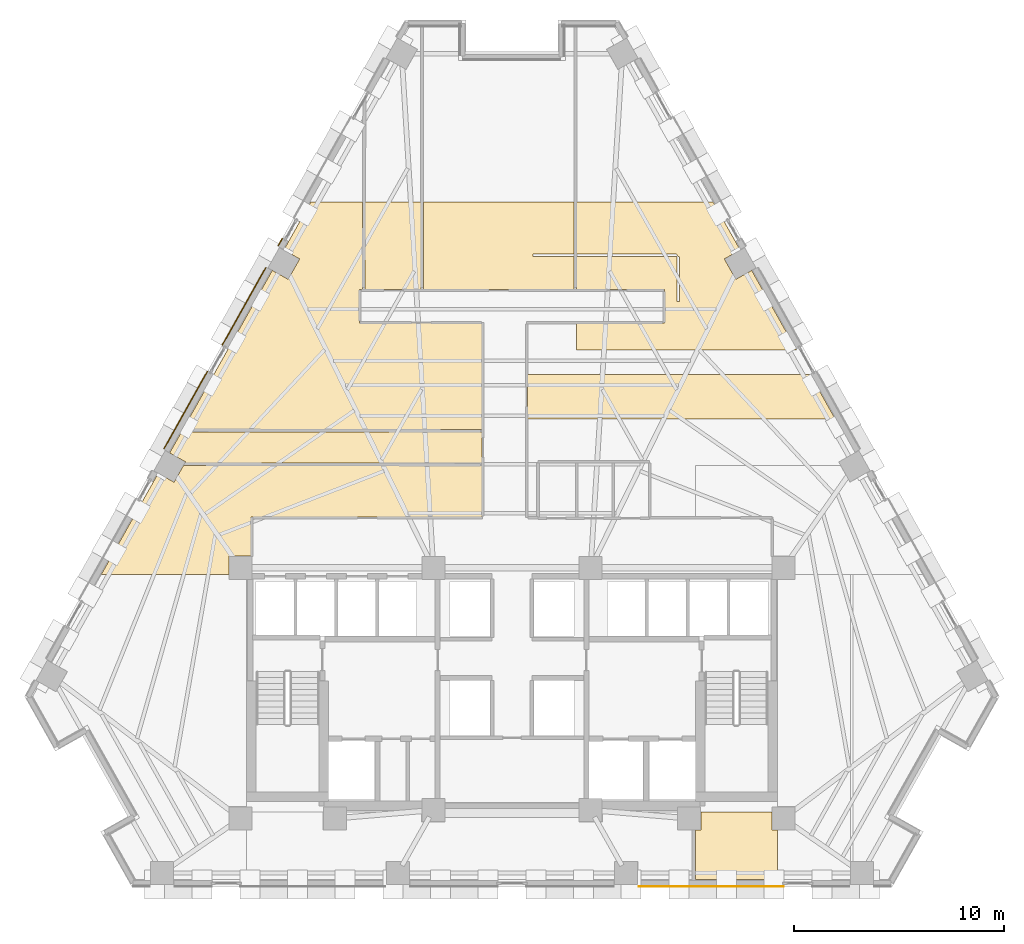
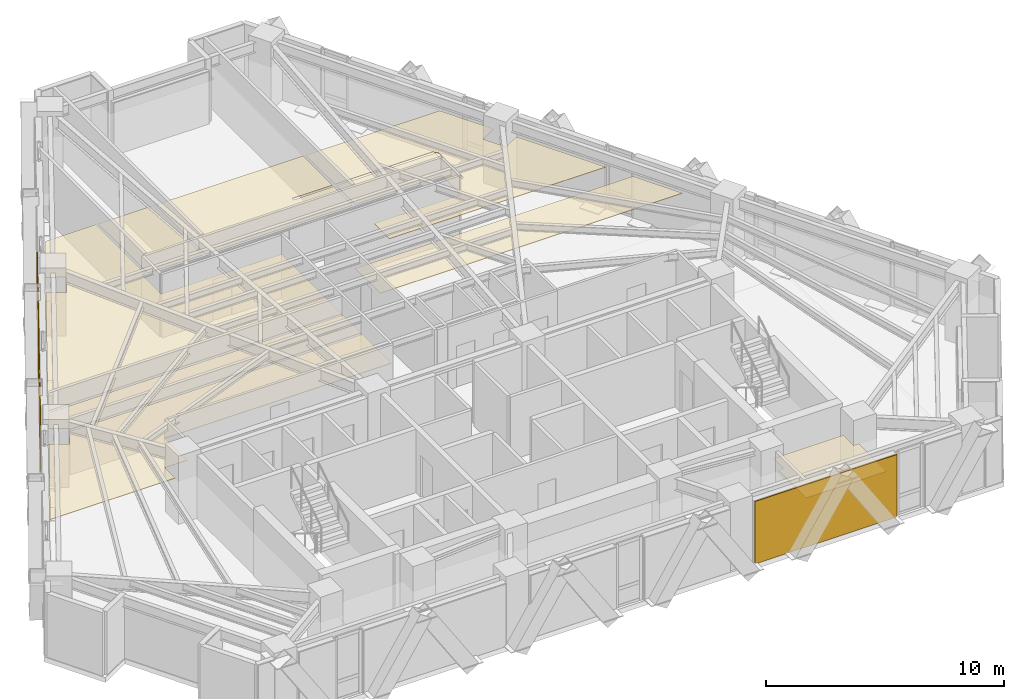
# One storey, part 11 of 13: 12 coverings.
"""IFC4 building model written with IfcOpenShell, lengths in metres."""

from ifc_helpers import new_model, si_unit, direction, frame, origin, place, context, subcontext, project, spatial, polyline, outline, extrude, material, layer, layer_set, type_object, element, save


model = new_model("IFC4")

# Units and contexts
model_context = context("Model", 3, precision=1e-05, world=origin(), true_north=direction((0.0, 1.0)))
body_context = subcontext(model_context, "Body", "Model", "MODEL_VIEW")
ifc_project = project(units=[si_unit("LENGTHUNIT", "METRE"), si_unit("AREAUNIT", "SQUARE_METRE"), si_unit("VOLUMEUNIT", "CUBIC_METRE"), si_unit("PLANEANGLEUNIT", "RADIAN"), si_unit("MASSUNIT", "GRAM", prefix="KILO")], contexts=[model_context])

# Site, building, storey
site_placement = place(None, origin())
site = spatial("IfcSite", under=ifc_project, at=site_placement, CompositionType="ELEMENT")
building_placement = place(site_placement, origin())
building = spatial("IfcBuilding", under=site, at=building_placement, Name="Quenlor Broadcast Tower", CompositionType="ELEMENT")
storey_placement = place(building_placement, frame((0.0, 0.0, 83.60009765625)))
storey = spatial("IfcBuildingStorey", under=building, at=storey_placement, Name="L22", CompositionType="ELEMENT", Elevation=83.60009765625)

# Coverings
ifc_material_1 = material(Name="Acoustic Mineral Fibre Board", Category="other")
ifc_layer_1 = layer(ifc_material_1, 0.02490234375)
ifc_layer_set_1 = layer_set([ifc_layer_1], Name="Acoustic Perforated Mineral Tile Ceiling 25")
covering_type_1 = type_object("IfcCoveringType", Name="Acoustic Perforated Mineral Tile Ceiling 25", PredefinedType="CEILING", material=ifc_layer_set_1)
covering_1_placement = place(storey_placement, frame((0.0, 0.0, 2.224853515625)))
element("IfcCovering", 1, at=covering_1_placement, inside=storey, type_object=covering_type_1, Name="L22 Acoustic Ceiling L22-30", PredefinedType="CEILING", context=body_context, shape_type="SweptSolid", body=[
    extrude(outline(polyline([(2.947998046875, 10.179931640625), (1.0, 10.179931640625), (1.0, 10.06005859375), (2.947998046875, 10.06005859375), (2.947998046875, 8.47998046875), (-4.215087890625, 8.47998046875), (-4.215087890625, 12.64990234375), (2.947998046875, 12.64990234375), (2.947998046875, 10.179931640625)])), origin(), (0.0, 0.0, 1.0), 0.025146484375),
])
covering_2_placement = place(storey_placement, frame((0.0, 0.0, 2.224853515625)))
element("IfcCovering", 2, at=covering_2_placement, inside=storey, type_object=covering_type_1, Name="L22 Acoustic Ceiling L22-31", PredefinedType="CEILING", context=body_context, shape_type="SweptSolid", body=[
    extrude(outline(polyline([(-4.3349609375, 8.47998046875), (-7.0, 8.47998046875), (-7.0, 12.64990234375), (-4.3349609375, 12.64990234375), (-4.3349609375, 8.47998046875)])), origin(), (0.0, 0.0, 1.0), 0.025146484375),
])
covering_3_placement = place(storey_placement, frame((0.0, 0.0, 2.224853515625)))
element("IfcCovering", 3, at=covering_3_placement, inside=storey, type_object=covering_type_1, Name="L22 Acoustic Ceiling L22-32", PredefinedType="CEILING", context=body_context, shape_type="SweptSolid", body=[
    extrude(outline(polyline([(7.8798828125, 7.89990234375), (8.0, 7.89990234375), (8.0, 10.030029296875), (7.970703125, 10.032958984375), (7.942626953125, 10.04150390625), (7.916748046875, 10.055419921875), (7.893798828125, 10.073974609375), (7.875244140625, 10.0966796875), (7.861328125, 10.12255859375), (7.852783203125, 10.150634765625), (7.85009765625, 10.179931640625), (3.068115234375, 10.179931640625), (3.068115234375, 12.64990234375), (9.587890625, 12.64990234375), (10.883544921875, 10.35791015625), (10.126953125, 9.9326171875), (10.674072265625, 8.959716796875), (11.4306640625, 9.38525390625), (13.5712890625, 5.580078125), (3.068115234375, 5.580078125), (3.068115234375, 6.8701171875), (7.280029296875, 6.8701171875), (7.280029296875, 8.47998046875), (3.068115234375, 8.47998046875), (3.068115234375, 10.06005859375), (7.8798828125, 10.06005859375), (7.8798828125, 7.89990234375)])), origin(), (0.0, 0.0, 1.0), 0.025146484375),
])
covering_4_placement = place(storey_placement, frame((0.0, 0.0, 2.224853515625)))
element("IfcCovering", 4, at=covering_4_placement, inside=storey, type_object=covering_type_1, Name="L22 Acoustic Ceiling L22-33", PredefinedType="CEILING", context=body_context, shape_type="SweptSolid", body=[
    extrude(outline(polyline([(-7.280029296875, 6.8701171875), (-1.429931640625, 6.8701171875), (-1.429931640625, 1.81005859375), (-15.69189453125, 1.81005859375), (-11.4306640625, 9.38525390625), (-10.674072265625, 8.959716796875), (-10.126953125, 9.9326171875), (-10.883544921875, 10.35791015625), (-9.59423828125, 12.64990234375), (-7.1201171875, 12.64990234375), (-7.1201171875, 8.47998046875), (-7.280029296875, 8.47998046875), (-7.280029296875, 6.8701171875)])), origin(), (0.0, 0.0, 1.0), 0.025146484375),
])
covering_5_placement = place(storey_placement, frame((0.0, 0.0, 2.224853515625)))
element("IfcCovering", 5, at=covering_5_placement, inside=storey, type_object=covering_type_1, Name="L22 Acoustic Ceiling L22-34", PredefinedType="CEILING", context=body_context, shape_type="SweptSolid", body=[
    extrude(outline(polyline([(14.226318359375, 4.415283203125), (15.410400390625, 2.31005859375), (0.72998046875, 2.31005859375), (0.72998046875, 4.415283203125), (14.226318359375, 4.415283203125)])), origin(), (0.0, 0.0, 1.0), 0.025146484375),
])
covering_6_placement = place(storey_placement, frame((0.0, 0.0, 2.224853515625)))
element("IfcCovering", 6, at=covering_6_placement, inside=storey, type_object=covering_type_1, Name="L22 Acoustic Ceiling L22-35", PredefinedType="CEILING", context=body_context, shape_type="SweptSolid", body=[
    extrude(outline(polyline([(-15.606689453125, 0.190673828125), (-15.5703125, 0.255615234375), (-16.32666015625, 0.68115234375), (-15.75927734375, 1.68994140625), (-1.429931640625, 1.68994140625), (-1.429931640625, 0.190673828125), (-15.606689453125, 0.190673828125)])), origin(), (0.0, 0.0, 1.0), 0.025146484375),
])
covering_7_placement = place(storey_placement, frame((0.0, 0.0, 2.224853515625)))
element("IfcCovering", 7, at=covering_7_placement, inside=storey, type_object=covering_type_1, Name="L22 Acoustic Ceiling L22-36-4", PredefinedType="CEILING", context=body_context, shape_type="SweptSolid", body=[
    extrude(outline(polyline([(8.746337890625, -19.659912109375), (8.746337890625, -17.30810546875), (9.008056640625, -17.30810546875), (9.008056640625, -16.449951171875), (12.39208984375, -16.449951171875), (12.39208984375, -17.30810546875), (12.64990234375, -17.30810546875), (12.64990234375, -19.659912109375), (8.746337890625, -19.659912109375)])), origin(), (0.0, 0.0, 1.0), 0.025146484375),
])
covering_8_placement = place(storey_placement, frame((0.0, 0.0, 2.224853515625)))
element("IfcCovering", 8, at=covering_8_placement, inside=storey, type_object=covering_type_1, Name="L22 Acoustic Ceiling L22-37", PredefinedType="CEILING", context=body_context, shape_type="SweptSolid", body=[
    extrude(outline(polyline([(-12.43994140625, -2.3701171875), (-12.43994140625, -4.241943359375), (-13.508056640625, -4.241943359375), (-13.508056640625, -5.1201171875), (-19.58984375, -5.1201171875), (-16.873779296875, -0.29150390625), (-16.1171875, -0.717041015625), (-15.67431640625, 0.07080078125), (-1.429931640625, 0.07080078125), (-1.429931640625, -2.3701171875), (-12.43994140625, -2.3701171875)])), origin(), (0.0, 0.0, 1.0), 0.025146484375),
])
ifc_material_2 = material(Name="Architectural Terracotta Ceramic", Category="masonry")
ifc_layer_2 = layer(ifc_material_2, 0.044921875)
ifc_layer_set_2 = layer_set([ifc_layer_2], Name="Fluted Terracotta Rainscreen Cladding Panel")
covering_type_2 = type_object("IfcCoveringType", Name="Fluted Terracotta Rainscreen Cladding Panel", PredefinedType="CLADDING", material=ifc_layer_set_2)
covering_9_placement = place(storey_placement, frame((0.0, 0.0, 0.02001953125)))
element("IfcCovering", 9, at=covering_9_placement, inside=storey, type_object=covering_type_2, Name="L22 Terracotta Rainscreen Cladding L22-SA-SP2", PredefinedType="CLADDING", context=body_context, shape_type="SweptSolid", body=[
    extrude(outline(polyline([(12.94873046875, -19.971923828125), (6.048095703125, -19.971923828125), (6.048095703125, -20.01708984375), (12.94873046875, -20.01708984375), (12.94873046875, -19.971923828125)])), origin(), (0.0, 0.0, 1.0), 3.2099609375),
])
covering_10_placement = place(storey_placement, frame((0.0, 0.0, 0.02001953125)))
element("IfcCovering", 10, at=covering_10_placement, inside=storey, type_object=covering_type_2, Name="L22 Terracotta Rainscreen Cladding L22-NWC-SP1", PredefinedType="CLADDING", context=body_context, shape_type="SweptSolid", body=[
    extrude(outline(polyline([(-11.13232421875, 10.552001953125), (-10.936279296875, 10.900634765625), (-10.9755859375, 10.922607421875), (-11.171630859375, 10.57421875), (-11.13232421875, 10.552001953125)])), origin(), (0.0, 0.0, 1.0), 3.2099609375),
])
covering_11_placement = place(storey_placement, frame((0.0, 0.0, 0.02001953125)))
element("IfcCovering", 11, at=covering_11_placement, inside=storey, type_object=covering_type_2, Name="L22 Terracotta Rainscreen Cladding L22-NW-SP1", PredefinedType="CLADDING", context=body_context, shape_type="SweptSolid", body=[
    extrude(outline(polyline([(-16.577880859375, 0.870849609375), (-14.499755859375, 4.565673828125), (-14.538818359375, 4.587646484375), (-16.6171875, 0.892822265625), (-16.577880859375, 0.870849609375)])), origin(), (0.0, 0.0, 1.0), 3.2099609375),
])
covering_12_placement = place(storey_placement, frame((0.0, 0.0, 0.02001953125)))
element("IfcCovering", 12, at=covering_12_placement, inside=storey, type_object=covering_type_2, Name="L22 Terracotta Rainscreen Cladding L22-NW-SP2", PredefinedType="CLADDING", context=body_context, shape_type="SweptSolid", body=[
    extrude(outline(polyline([(-13.801513671875, 5.806884765625), (-11.72314453125, 9.501708984375), (-11.76220703125, 9.523681640625), (-13.8408203125, 5.8291015625), (-13.801513671875, 5.806884765625)])), origin(), (0.0, 0.0, 1.0), 3.2099609375),
])

save(model, "model.ifc")
